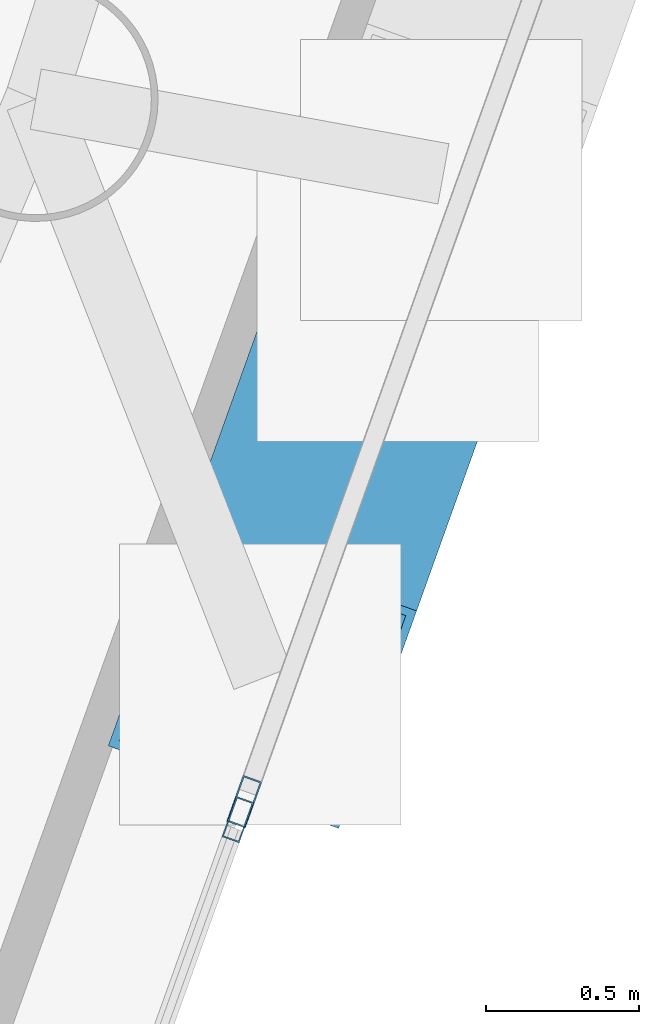
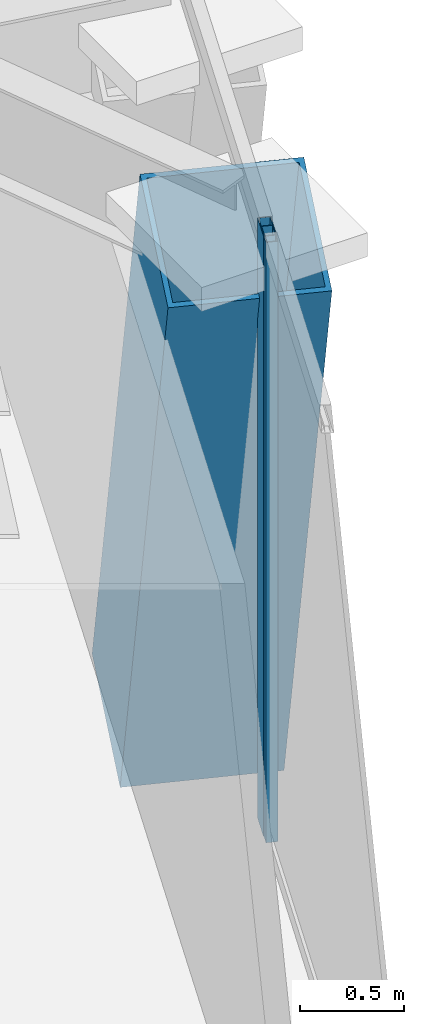
# One storey, part 6 of 19: 3 members, 2 elements without a shape of their own.
"""IFC4 building model written with IfcOpenShell, lengths in metres."""

from ifc_helpers import new_model, si_unit, direction, frame, origin, origin_2d, place, context, subcontext, project, spatial, hollow_rectangle, extrude, material, layer, layer_set, material_profile, profile_set, type_object, element, aggregate, save


model = new_model("IFC4")

# Units and contexts
model_context = context("Model", 3, precision=1e-05, world=origin(), true_north=direction((0.0, 1.0)))
body_context = subcontext(model_context, "Body", "Model", "MODEL_VIEW")
ifc_project = project(units=[si_unit("LENGTHUNIT", "METRE"), si_unit("AREAUNIT", "SQUARE_METRE"), si_unit("VOLUMEUNIT", "CUBIC_METRE"), si_unit("PLANEANGLEUNIT", "RADIAN"), si_unit("MASSUNIT", "GRAM", prefix="KILO")], contexts=[model_context])

# Site, building, storey
site_placement = place(None, origin())
site = spatial("IfcSite", under=ifc_project, at=site_placement, CompositionType="ELEMENT")
building_placement = place(site_placement, origin())
building = spatial("IfcBuilding", under=site, at=building_placement, Name="Qianvela Tower", CompositionType="ELEMENT")
storey_placement = place(building_placement, frame((0.0, 0.0, 344.39990234375)))
storey = spatial("IfcBuildingStorey", under=building, at=storey_placement, Name="L89", CompositionType="ELEMENT", Elevation=344.39990234375)

# Curtain wall, member
ifc_material_1 = material(Name="Anodised Architectural Aluminium and Insulated Spandrel Panel", Category="aluminium")
ifc_layer_1 = layer(ifc_material_1, 0.179931640625)
ifc_layer_set_1 = layer_set([ifc_layer_1], Name="Anodised Architectural Aluminium and Insulated Spandrel Panel")
curtain_wall_type_1 = type_object("IfcCurtainWallType", Name="CW-BRACEBAY", PredefinedType="USERDEFINED", material=ifc_layer_set_1)
curtain_wall_1_placement = place(storey_placement, origin())
curtain_wall_1 = element("IfcCurtainWall", 1, at=curtain_wall_1_placement, inside=storey, type_object=curtain_wall_type_1, Name="L89 CW-BRACEBAY Curtain Wall 06B", ObjectType="CURTAIN_WALL_SYSTEM", PredefinedType="USERDEFINED")
ifc_material_2 = material(Name="Anodised Architectural Aluminium 6063-T6", Category="aluminium")
ifc_material_profile_1 = material_profile(ifc_material_2, hollow_rectangle(XDim=0.06494140625, YDim=0.159912109375, WallThickness=0.0048828125, at=origin_2d()), Name="ALU-MULL-65x160")
ifc_profile_set_1 = profile_set([ifc_material_profile_1], Name="Anodised Architectural Aluminium 6063-T6")
member_type_1 = type_object("IfcMemberType", Name="CW-BRACEBAY-MULL", PredefinedType="MULLION", material=ifc_profile_set_1)
member_1_placement = place(storey_placement, frame((46.776611328125, 21.39404296875, 0.0), z_axis=(0.0, 0.0, 1.0), x_axis=(-0.94131260429, 0.337536044009, 0.0)))
member_1 = element("IfcMember", 2, at=member_1_placement, type_object=member_type_1, Name="CW-9 mullion 1", PredefinedType="MULLION", context=body_context, shape_type="SweptSolid", body=[
    extrude(hollow_rectangle(XDim=0.06494140625, YDim=0.159912109375, WallThickness=0.0048828125, at=origin_2d()), origin(), (0.0, 0.0, 1.0), 3.52001953125),
])
aggregate(curtain_wall_1, [member_1])

ifc_material_3 = material(Name="Anodised Architectural Aluminium and Low-E Glass", Category="aluminium")
ifc_layer_2 = layer(ifc_material_3, 0.14990234375)
ifc_layer_set_2 = layer_set([ifc_layer_2], Name="Anodised Architectural Aluminium and Low-E Glass")
curtain_wall_type_2 = type_object("IfcCurtainWallType", Name="CW-COLIV-Z78", PredefinedType="USERDEFINED", material=ifc_layer_set_2)
curtain_wall_2_placement = place(storey_placement, origin())
curtain_wall_2 = element("IfcCurtainWall", 3, at=curtain_wall_2_placement, inside=storey, type_object=curtain_wall_type_2, Name="L89 CW-COLIV-Z78 Curtain Wall 06A", ObjectType="CURTAIN_WALL_SYSTEM", PredefinedType="USERDEFINED")
ifc_material_4 = material(Name="Anodised Architectural Aluminium 6063-T6", Category="aluminium")
ifc_material_profile_2 = material_profile(ifc_material_4, hollow_rectangle(XDim=0.06005859375, YDim=0.139892578125, WallThickness=0.00439453125, at=origin_2d()), Name="ALU-MULL-60x140")
ifc_profile_set_2 = profile_set([ifc_material_profile_2], Name="Anodised Architectural Aluminium 6063-T6")
member_type_2 = type_object("IfcMemberType", Name="CW-COLIV-Z78-MULL", PredefinedType="MULLION", material=ifc_profile_set_2)
member_2_placement = place(storey_placement, frame((46.755615234375, 21.335205078125, 0.0), z_axis=(0.0, 0.0, 1.0), x_axis=(-0.941312064144, 0.337537550351, 0.0)))
member_2 = element("IfcMember", 4, at=member_2_placement, type_object=member_type_2, Name="CW-6 mullion 3", PredefinedType="MULLION", context=body_context, shape_type="SweptSolid", body=[
    extrude(hollow_rectangle(XDim=0.06005859375, YDim=0.139892578125, WallThickness=0.00439453125, at=origin_2d()), origin(), (0.0, 0.0, 1.0), 3.52001953125),
])
aggregate(curtain_wall_2, [member_2])

# Member
ifc_material_5 = material(Name="Steel Q420GJC", Category="steel")
ifc_material_profile_3 = material_profile(ifc_material_5, hollow_rectangle(XDim=0.800048828125, YDim=0.800048828125, WallThickness=0.028076171875, at=origin_2d()), Name="MBOX-800x800x28")
ifc_profile_set_3 = profile_set([ifc_material_profile_3], Name="Steel Q420GJC")
member_type_3 = type_object("IfcMemberType", Name="MBR-MBRACE-800", PredefinedType="BRACE", material=ifc_profile_set_3)
member_3_placement = place(storey_placement, frame((47.271484375, 23.0107421875, -0.48193359375), z_axis=(-0.111098654823, -0.309742800405, 0.944307411013), x_axis=(0.941282644144, -0.337619584492, 0.0)))
element("IfcMember", 5, at=member_3_placement, inside=storey, type_object=member_type_3, Name="L89 Tier 15 Exterior Mega-Brace F3A", PredefinedType="BRACE", context=body_context, shape_type="SweptSolid", body=[
    extrude(hollow_rectangle(XDim=0.800048828125, YDim=0.800048828125, WallThickness=0.028076171875, at=origin_2d()), origin(), (0.0, 0.0, 1.0), 3.918212890625),
])

save(model, "model.ifc")
